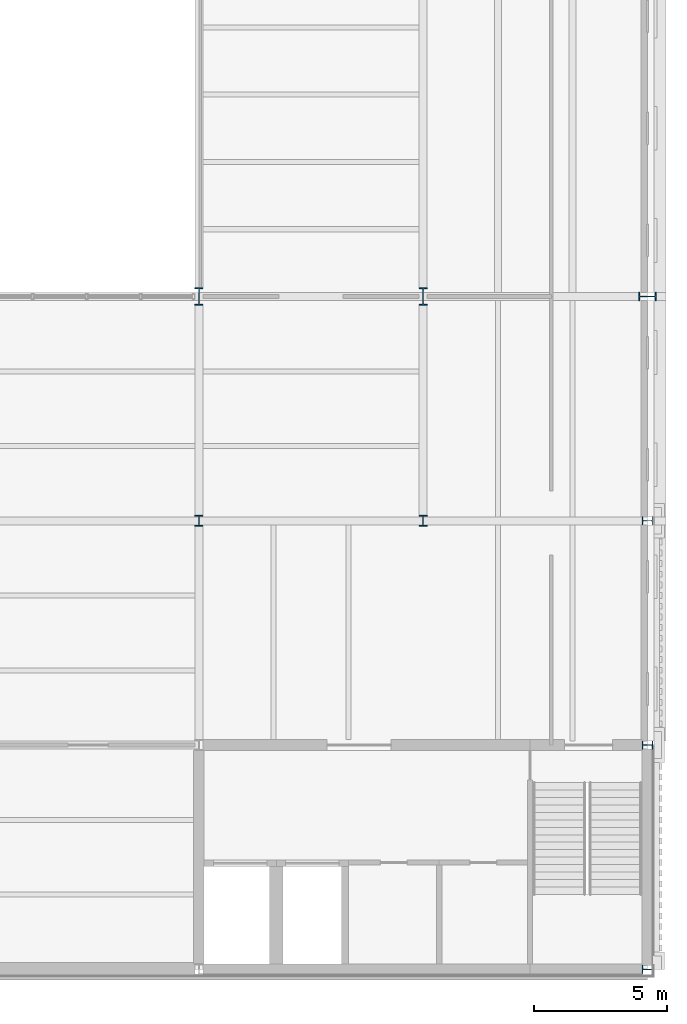
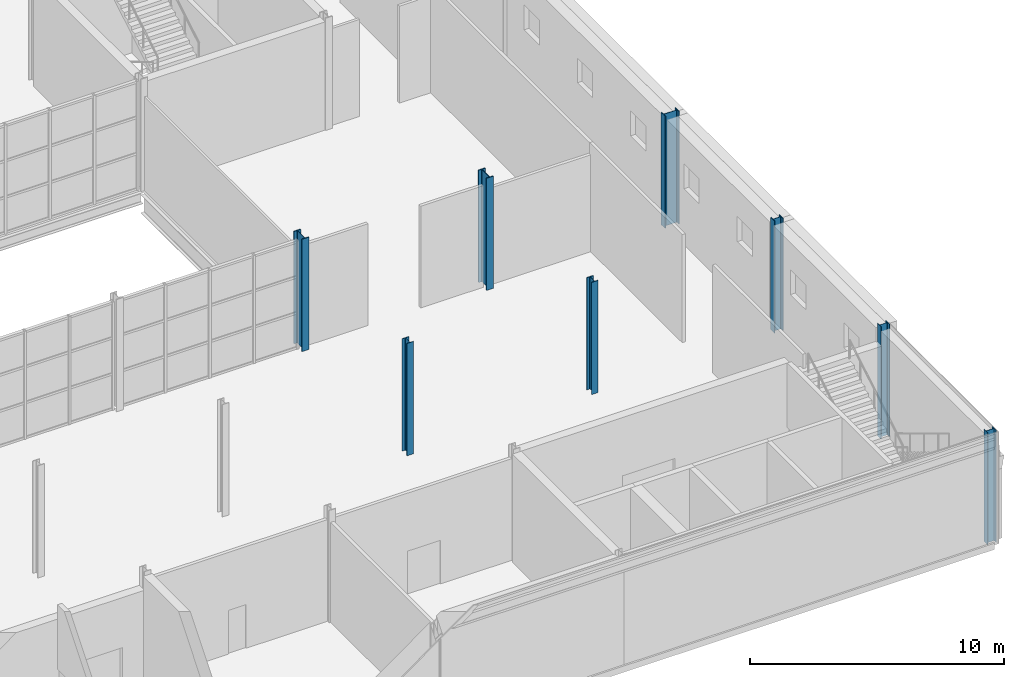
# One storey, part 6 of 57: 8 columns.
"""IFC4 building model written with IfcOpenShell, lengths in metres."""

from ifc_helpers import new_model, si_unit, direction, frame, origin, origin_2d, place, context, subcontext, project, spatial, i_section, extrude, material, material_profile, profile_set, type_object, element, save


model = new_model("IFC4")

# Units and contexts
model_context = context("Model", 3, precision=1e-05, world=origin(), true_north=direction((0.0, 1.0)))
body_context = subcontext(model_context, "Body", "Model", "MODEL_VIEW")
ifc_project = project(units=[si_unit("LENGTHUNIT", "METRE"), si_unit("AREAUNIT", "SQUARE_METRE"), si_unit("VOLUMEUNIT", "CUBIC_METRE"), si_unit("PLANEANGLEUNIT", "RADIAN"), si_unit("MASSUNIT", "GRAM", prefix="KILO")], contexts=[model_context])

# Site, building, storey
site_placement = place(None, origin())
site = spatial("IfcSite", under=ifc_project, at=site_placement, CompositionType="ELEMENT")
building_placement = place(site_placement, origin())
building = spatial("IfcBuilding", under=site, at=building_placement, Name="Galleria Vessillo Department Store", CompositionType="ELEMENT")
storey_placement = place(building_placement, frame((0.0, 0.0, 25.800048828125)))
storey = spatial("IfcBuildingStorey", under=building, at=storey_placement, Name="L05", CompositionType="ELEMENT", Elevation=25.800048828125)

# Columns
ifc_material_1 = material(Name="Steel S355 J2", Category="steel")
ifc_material_profile_1 = material_profile(ifc_material_1, i_section(OverallWidth=0.300048828125, OverallDepth=0.39990234375, WebThickness=0.013427734375, FlangeThickness=0.02392578125, FilletRadius=0.027099609375, at=origin_2d()), Name="HEB 400")
ifc_profile_set_1 = profile_set([ifc_material_profile_1], Name="Steel S355 J2")
column_type_1 = type_object("IfcColumnType", Name="Steel column HEB 400 CP2", PredefinedType="COLUMN", material=ifc_profile_set_1)
for number, where, z_axis, x_axis, name in (
    (1, (100.800048828125, 16.800048828125, 0.0), (0.0, 0.0, 1.0), (1.0, 0.0, 0.0), "S-COL-L05-13-C"),
    (2, (109.199951171875, 16.800048828125, 0.0), (0.0, 0.0, 1.0), (1.0, 0.0, 0.0), "S-COL-L05-14-C"),
    (3, (117.60009765625, 0.0, 0.0), (0.0, 0.0, 1.0), (0.0, 1.0, 0.0), "S-COL-L05-15-A"),
    (4, (117.60009765625, 8.39990234375, 0.0), (0.0, 0.0, 1.0), (0.0, 1.0, 0.0), "S-COL-L05-15-B"),
    (5, (117.60009765625, 16.800048828125, 0.0), (0.0, 0.0, 1.0), (0.0, 1.0, 0.0), "S-COL-L05-15-C"),
):
    element("IfcColumn", number, at=place(storey_placement, frame(where, z_axis=z_axis, x_axis=x_axis)), inside=storey, type_object=column_type_1, Name=name, PredefinedType="COLUMN", context=body_context, shape_type="SweptSolid", body=[
        extrude(i_section(OverallWidth=0.300048828125, OverallDepth=0.39990234375, WebThickness=0.013427734375, FlangeThickness=0.02392578125, FilletRadius=0.027099609375, at=origin_2d()), origin(), (0.0, 0.0, 1.0), 5.39990234375),
    ])
ifc_material_2 = material(Name="Steel S355 J2", Category="steel")
ifc_material_profile_2 = material_profile(ifc_material_2, i_section(OverallWidth=0.304931640625, OverallDepth=0.66796875, WebThickness=0.02099609375, FlangeThickness=0.0400390625, FilletRadius=0.027099609375, at=origin_2d()), Name="HEM 650")
ifc_profile_set_2 = profile_set([ifc_material_profile_2], Name="Steel S355 J2")
column_type_2 = type_object("IfcColumnType", Name="Steel column HEM 650 CV3", PredefinedType="COLUMN", material=ifc_profile_set_2)
for number, where, z_axis, x_axis, name in (
    (6, (100.800048828125, 25.199951171875, 0.0), (0.0, 0.0, 1.0), (1.0, 0.0, 0.0), "S-COL-L05-13-D"),
    (7, (109.199951171875, 25.199951171875, 0.0), (0.0, 0.0, 1.0), (1.0, 0.0, 0.0), "S-COL-L05-14-D"),
    (8, (117.60009765625, 25.199951171875, 0.0), (0.0, 0.0, 1.0), (0.0, 1.0, 0.0), "S-COL-L05-15-D"),
):
    element("IfcColumn", number, at=place(storey_placement, frame(where, z_axis=z_axis, x_axis=x_axis)), inside=storey, type_object=column_type_2, Name=name, PredefinedType="COLUMN", context=body_context, shape_type="SweptSolid", body=[
        extrude(i_section(OverallWidth=0.304931640625, OverallDepth=0.66796875, WebThickness=0.02099609375, FlangeThickness=0.0400390625, FilletRadius=0.027099609375, at=origin_2d()), origin(), (0.0, 0.0, 1.0), 5.39990234375),
    ])

save(model, "model.ifc")
